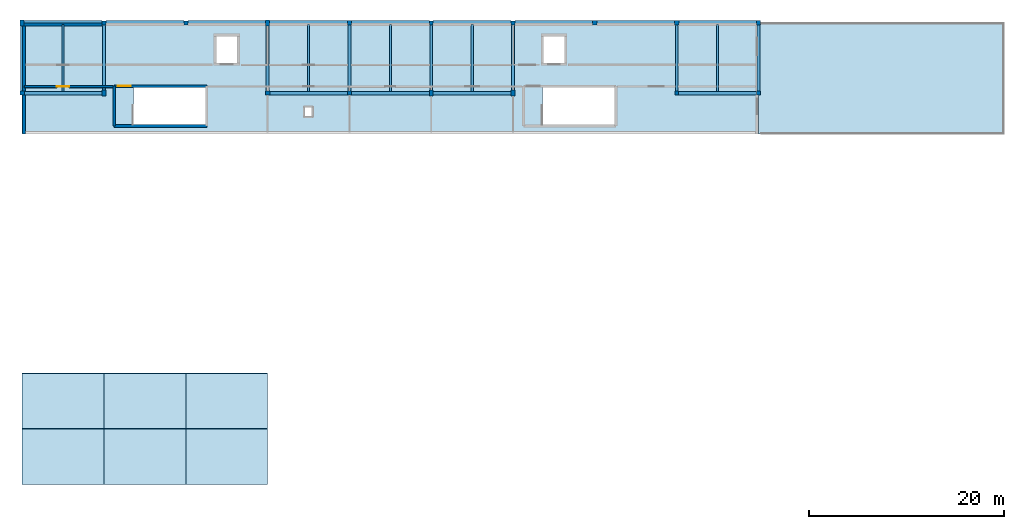
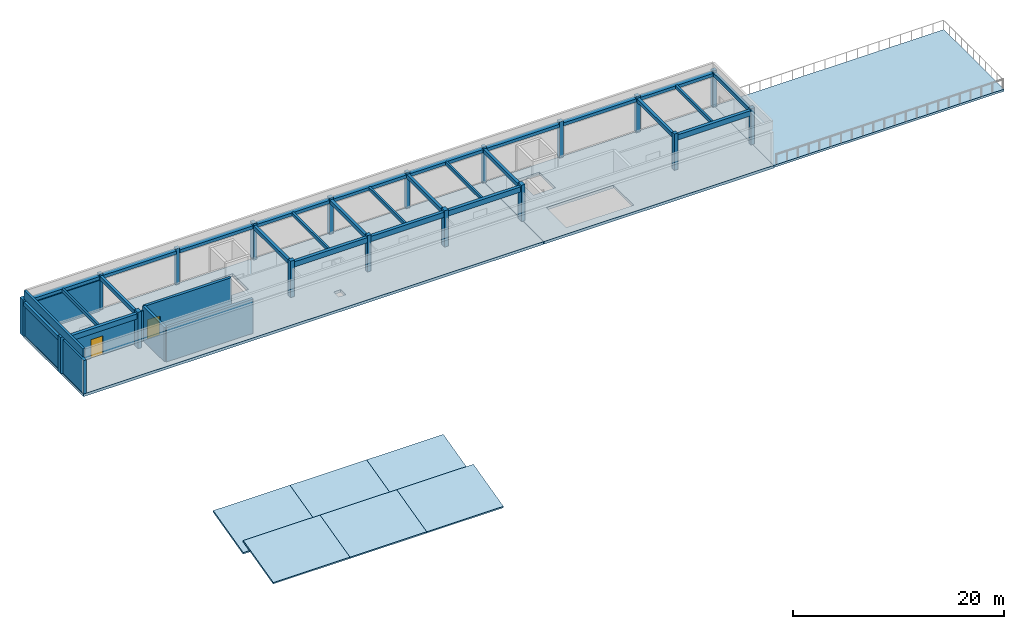
# One storey, part 1 of 6: 27 beams, 18 columns, 9 slabs, 8 walls, 2 doors, 2 openings.
"""IFC4 building model written with IfcOpenShell, lengths in metres."""

import ifcopenshell
import ifcopenshell.guid

model = None  # the IFC model being written
_history = None  # IfcOwnerHistory: only IFC2X3 demands one
_inside = {}  # id of a spatial element -> (the spatial element, [elements in it])
_under = {}  # id of a project, library or spatial element -> (it, [spatial elements below it])
_declared = {}  # id of a project -> (the project, [libraries it declares])
_typed = {}  # id of a type object -> (the type object, [elements of that type])
_made_of = {}  # id of a material, layer set ... -> (it, [elements and type objects made of it])


def new_model(schema):
    """Start an empty IFC model of exactly this schema.

    Asked for "IFC4X3", IfcOpenShell would pick the latest addendum, in which some entities
    have other attributes; the version numbers below select the first issue.
    IFC2X3 requires an IfcOwnerHistory on every rooted entity: one is made here for all.
    """
    global model, _history
    if schema == "IFC4X3":
        model = ifcopenshell.file(schema_version=(4, 3, 0, 0))
    else:
        model = ifcopenshell.file(schema=schema)
    _inside.clear()
    _under.clear()
    _declared.clear()
    _typed.clear()
    _made_of.clear()
    _history = None
    if model.schema == "IFC2X3":
        org = make("IfcOrganization", Name="unknown")
        user = make(
            "IfcPersonAndOrganization",
            ThePerson=make("IfcPerson", FamilyName="unknown"),
            TheOrganization=org,
        )
        app = make(
            "IfcApplication",
            ApplicationDeveloper=org,
            Version="unknown",
            ApplicationFullName="unknown",
            ApplicationIdentifier="unknown",
        )
        _history = make(
            "IfcOwnerHistory",
            OwningUser=user,
            OwningApplication=app,
            ChangeAction="ADDED",
            CreationDate=0,
        )
    return model


def make(cls, **values):
    """One entity of the class cls with the attributes given. An attribute that is None is left unset."""
    return model.create_entity(
        cls, **{name: value for name, value in values.items() if value is not None}
    )


def rooted(cls, **values):
    """An entity with a GlobalId (a new one), such as an element, a storey or a relation."""
    return make(cls, GlobalId=ifcopenshell.guid.new(), OwnerHistory=_history, **values)


def si_unit(unit_type, name, prefix=None):
    """IfcSIUnit, for example si_unit("LENGTHUNIT", "METRE", prefix="MILLI")."""
    return make("IfcSIUnit", UnitType=unit_type, Prefix=prefix, Name=name)


def assignment(units):
    """IfcUnitAssignment: the units of a project."""
    return None if units is None else make("IfcUnitAssignment", Units=units)


def point(xyz):
    """IfcCartesianPoint."""
    return None if xyz is None else make("IfcCartesianPoint", Coordinates=xyz)


def direction(xyz):
    """IfcDirection."""
    return None if xyz is None else make("IfcDirection", DirectionRatios=xyz)


def frame(location, z_axis=None, x_axis=None):
    """IfcAxis2Placement3D, a coordinate frame: its origin and axes. An axis left out is left unset."""
    return make(
        "IfcAxis2Placement3D",
        Location=point(location),
        Axis=direction(z_axis),
        RefDirection=direction(x_axis),
    )


def frame_2d(location, x_axis=None):
    """IfcAxis2Placement2D, a coordinate frame in the plane: its origin and x axis."""
    return make(
        "IfcAxis2Placement2D", Location=point(location), RefDirection=direction(x_axis)
    )


def origin():
    """The frame at (0, 0, 0) with its axes left unset."""
    return frame((0.0, 0.0, 0.0))


def origin_2d():
    """The frame at (0, 0) in the plane with its x axis left unset."""
    return frame_2d((0.0, 0.0))


def place(relative_to, where):
    """IfcLocalPlacement: puts the frame where relative to a parent placement (None: the world)."""
    return make(
        "IfcLocalPlacement", PlacementRelTo=relative_to, RelativePlacement=where
    )


def context(
    kind, dimensions, precision=None, world=None, true_north=None, identifier=None
):
    """IfcGeometricRepresentationContext, for example the 3D "Model" context."""
    return make(
        "IfcGeometricRepresentationContext",
        ContextIdentifier=identifier,
        ContextType=kind,
        CoordinateSpaceDimension=dimensions,
        Precision=precision,
        WorldCoordinateSystem=world,
        TrueNorth=true_north,
    )


def subcontext(parent, identifier, kind, view, scale=None):
    """IfcGeometricRepresentationSubContext, for example "Body" below "Model"."""
    return make(
        "IfcGeometricRepresentationSubContext",
        ContextIdentifier=identifier,
        ContextType=kind,
        ParentContext=parent,
        TargetScale=scale,
        TargetView=view,
    )


def project(units=None, contexts=None):
    """IfcProject with its units and contexts."""
    return rooted(
        "IfcProject",
        Name="project",
        RepresentationContexts=contexts,
        UnitsInContext=assignment(units),
    )


def spatial(cls, under=None, at=None, **own):
    """A site, building, storey or space (cls), placed at a placement, below another one or the project."""
    s = rooted(cls, ObjectPlacement=at, **own)
    if under is not None:
        _under.setdefault(under.id(), (under, []))[1].append(s)
    return s


def polyline(points):
    """IfcPolyline through the points."""
    return make("IfcPolyline", Points=[point(p) for p in points])


def profile(cls, at=None, kind="AREA", **sizes):
    """A parametric profile (cls). Its sizes go by their IFC names, for example OverallWidth=200.0."""
    return make(cls, ProfileType=kind, Position=at, **sizes)


def rectangle(**sizes):
    """IfcRectangleProfileDef."""
    return profile("IfcRectangleProfileDef", **sizes)


def outline(outer, holes=None, kind="AREA"):
    """IfcArbitraryClosedProfileDef: a profile drawn as a closed curve; with holes, ...WithVoids."""
    if holes is None:
        return make("IfcArbitraryClosedProfileDef", ProfileType=kind, OuterCurve=outer)
    return make(
        "IfcArbitraryProfileDefWithVoids",
        ProfileType=kind,
        OuterCurve=outer,
        InnerCurves=holes,
    )


def extrude(swept, where, along, depth):
    """IfcExtrudedAreaSolid: the profile swept, set in the frame where, extruded along a direction by depth."""
    return make(
        "IfcExtrudedAreaSolid",
        SweptArea=swept,
        Position=where,
        ExtrudedDirection=direction(along),
        Depth=depth,
    )


def shape(context_of_items, identifier, shape_type, items):
    """IfcShapeRepresentation: the items that make up one representation, for example the "Body"."""
    return make(
        "IfcShapeRepresentation",
        ContextOfItems=context_of_items,
        RepresentationIdentifier=identifier,
        RepresentationType=shape_type,
        Items=items,
    )


def material(Name=None, Category=None):
    """IfcMaterial."""
    return make("IfcMaterial", Name=Name, Category=Category)


def layer(
    of_material, thickness, ventilated=None, Name=None, Category=None, Priority=None
):
    """IfcMaterialLayer: one layer of a wall or slab, of a material (None: an air gap)."""
    return make(
        "IfcMaterialLayer",
        Material=of_material,
        LayerThickness=thickness,
        IsVentilated=ventilated,
        Name=Name,
        Category=Category,
        Priority=Priority,
    )


def layer_set(layers, Name=None):
    """IfcMaterialLayerSet."""
    return make("IfcMaterialLayerSet", MaterialLayers=layers, LayerSetName=Name)


def material_profile(
    of_material, cross_section, Name=None, Category=None, Priority=None
):
    """IfcMaterialProfile: a cross section and its material."""
    return make(
        "IfcMaterialProfile",
        Name=Name,
        Material=of_material,
        Profile=cross_section,
        Priority=Priority,
        Category=Category,
    )


def profile_set(profiles, Name=None, composite=None):
    """IfcMaterialProfileSet."""
    return make(
        "IfcMaterialProfileSet",
        Name=Name,
        MaterialProfiles=profiles,
        CompositeProfile=composite,
    )


def made_of(thing, what):
    """Note that an element or type object is made of a material, layer set ...; save() writes the relation."""
    if what is not None:
        _made_of.setdefault(what.id(), (what, []))[1].append(thing)
    return thing


def type_object(cls, material=None, **own):
    """A type object (cls), such as IfcWallType, which elements share."""
    return made_of(rooted(cls, **own), material)


def element(
    cls,
    number,
    at=None,
    inside=None,
    cuts=None,
    type_object=None,
    material=None,
    context=None,
    identifier="Body",
    shape_type=None,
    held_by="IfcProductDefinitionShape",
    body=None,
    shapes=None,
    **own,
):
    """One element of the class cls, such as IfcWall. Its Tag is "e" and its number.

    at: its placement. inside: the storey or other place that contains it. cuts: it is an
    opening in that element (IfcRelVoidsElement). A single representation is given by context,
    identifier, shape_type and body (its items); several are given by shapes. held_by: the class
    of the entity that holds the representations. save() writes the other relations.
    """
    e = rooted(cls, Tag="e%d" % number, ObjectPlacement=at, **own)
    if body is not None:
        shapes = [shape(context, identifier, shape_type, body)]
    if shapes is not None:
        e.Representation = make(held_by, Representations=shapes)
    if inside is not None:
        _inside.setdefault(inside.id(), (inside, []))[1].append(e)
    if cuts is not None:
        rooted(
            "IfcRelVoidsElement", RelatingBuildingElement=cuts, RelatedOpeningElement=e
        )
    if type_object is not None:
        _typed.setdefault(type_object.id(), (type_object, []))[1].append(e)
    return made_of(e, material)


def fill(opening, filler):
    """IfcRelFillsElement: the door or window that sits in an opening."""
    return rooted(
        "IfcRelFillsElement",
        RelatingOpeningElement=opening,
        RelatedBuildingElement=filler,
    )


def aggregate(whole, parts):
    """IfcRelAggregates: a whole, such as a stair, and the parts it consists of."""
    return rooted("IfcRelAggregates", RelatingObject=whole, RelatedObjects=parts)


def save(model, path):
    """Write the relations noted so far, then the file.

    IfcRelAggregates (storeys below a building ...), IfcRelContainedInSpatialStructure (elements
    in a storey), IfcRelDefinesByType, IfcRelAssociatesMaterial and IfcRelDeclares: one each for
    every whole, place, type object, material and project.
    """
    for whole, parts in _under.values():
        aggregate(whole, parts)
    for where, things in _inside.values():
        rooted(
            "IfcRelContainedInSpatialStructure",
            RelatedElements=things,
            RelatingStructure=where,
        )
    for kind, things in _typed.values():
        rooted("IfcRelDefinesByType", RelatedObjects=things, RelatingType=kind)
    for what, things in _made_of.values():
        rooted("IfcRelAssociatesMaterial", RelatedObjects=things, RelatingMaterial=what)
    for by, libraries in _declared.values():
        rooted("IfcRelDeclares", RelatingContext=by, RelatedDefinitions=libraries)
    model.write(path)


model = new_model("IFC4")

# Units and contexts
model_context = context("Model", 3, precision=1e-05, world=origin(), true_north=direction((0.0, 1.0)))
body_context = subcontext(model_context, "Body", "Model", "MODEL_VIEW")
ifc_project = project(units=[si_unit("LENGTHUNIT", "METRE"), si_unit("AREAUNIT", "SQUARE_METRE"), si_unit("VOLUMEUNIT", "CUBIC_METRE"), si_unit("PLANEANGLEUNIT", "RADIAN"), si_unit("MASSUNIT", "GRAM", prefix="KILO")], contexts=[model_context])

# Site, building, storey
site_placement = place(None, origin())
site = spatial("IfcSite", under=ifc_project, at=site_placement, CompositionType="ELEMENT")
building_placement = place(site_placement, origin())
building = spatial("IfcBuilding", under=site, at=building_placement, Name="Malvenik Polytechnic", CompositionType="ELEMENT")
storey_placement = place(building_placement, frame((0.0, 0.0, 26.10009765625)))
storey = spatial("IfcBuildingStorey", under=building, at=storey_placement, Name="L06", CompositionType="ELEMENT", Elevation=26.10009765625)

# Columns
ifc_material_1 = material(Name="Concrete C35/45", Category="concrete")
ifc_material_profile_1 = material_profile(ifc_material_1, rectangle(XDim=0.449951171875, YDim=0.449951171875, at=origin_2d()), Name="RC COL 450x450")
ifc_profile_set_1 = profile_set([ifc_material_profile_1], Name="Concrete C35/45")
column_type_1 = type_object("IfcColumnType", Name="STR-COL-C-09", PredefinedType="COLUMN", material=ifc_profile_set_1)
for number, where, z_axis, x_axis, name in (
    (1, (0.0, 122.39990234375, 0.0), (0.0, 0.0, 1.0), (1.0, 0.0, 0.0), "Column C-09 L06 (0.0,122.4)"),
    (2, (25.199951171875, 122.39990234375, 0.0), (0.0, 0.0, 1.0), (1.0, 0.0, 0.0), "Column C-09 L06 (25.2,122.4)"),
    (3, (33.60009765625, 129.60009765625, 0.0), (0.0, 0.0, 1.0), (1.0, 0.0, 0.0), "Column C-09 L06 (33.6,129.6)"),
    (4, (58.800048828125, 129.60009765625, 0.0), (0.0, 0.0, 1.0), (1.0, 0.0, 0.0), "Column C-09 L06 (58.8,129.6)"),
    (5, (67.199951171875, 129.60009765625, 0.0), (0.0, 0.0, 1.0), (1.0, 0.0, 0.0), "Column C-09 L06 (67.2,129.6)"),
    (6, (75.60009765625, 129.60009765625, 0.0), (0.0, 0.0, 1.0), (1.0, 0.0, 0.0), "Column C-09 L06 (75.6,129.6)"),
):
    element("IfcColumn", number, at=place(storey_placement, frame(where, z_axis=z_axis, x_axis=x_axis)), inside=storey, type_object=column_type_1, Name=name, PredefinedType="COLUMN", context=body_context, shape_type="SweptSolid", body=[
        extrude(rectangle(XDim=0.449951171875, YDim=0.449951171875, at=origin_2d()), origin(), (0.0, 0.0, 1.0), 4.199951171875),
    ])
ifc_material_2 = material(Name="Concrete C30/37", Category="concrete")
ifc_material_profile_2 = material_profile(ifc_material_2, rectangle(XDim=0.39990234375, YDim=0.39990234375, at=origin_2d()), Name="RC COL 400x400")
ifc_profile_set_2 = profile_set([ifc_material_profile_2], Name="Concrete C30/37")
column_type_2 = type_object("IfcColumnType", Name="STR-COL-C-10", PredefinedType="COLUMN", material=ifc_profile_set_2)
for number, where, z_axis, x_axis, name in (
    (7, (8.39990234375, 129.60009765625, 0.0), (0.0, 0.0, 1.0), (1.0, 0.0, 0.0), "Column C-10 L06 (8.4,129.6)"),
    (8, (16.800048828125, 129.60009765625, 0.0), (0.0, 0.0, 1.0), (1.0, 0.0, 0.0), "Column C-10 L06 (16.8,129.6)"),
    (9, (33.60009765625, 122.39990234375, 0.0), (0.0, 0.0, 1.0), (1.0, 0.0, 0.0), "Column C-10 L06 (33.6,122.4)"),
    (10, (42.0, 129.60009765625, 0.0), (0.0, 0.0, 1.0), (1.0, 0.0, 0.0), "Column C-10 L06 (42.0,129.6)"),
    (11, (50.39990234375, 129.60009765625, 0.0), (0.0, 0.0, 1.0), (1.0, 0.0, 0.0), "Column C-10 L06 (50.4,129.6)"),
    (12, (67.199951171875, 122.39990234375, 0.0), (0.0, 0.0, 1.0), (1.0, 0.0, 0.0), "Column C-10 L06 (67.2,122.4)"),
    (13, (75.60009765625, 122.39990234375, 0.0), (0.0, 0.0, 1.0), (1.0, 0.0, 0.0), "Column C-10 L06 (75.6,122.4)"),
):
    element("IfcColumn", number, at=place(storey_placement, frame(where, z_axis=z_axis, x_axis=x_axis)), inside=storey, type_object=column_type_2, Name=name, PredefinedType="COLUMN", context=body_context, shape_type="SweptSolid", body=[
        extrude(rectangle(XDim=0.39990234375, YDim=0.39990234375, at=origin_2d()), origin(), (0.0, 0.0, 1.0), 4.199951171875),
    ])
ifc_material_profile_3 = material_profile(ifc_material_1, rectangle(XDim=0.39990234375, YDim=0.60009765625, at=origin_2d()), Name="RC COL 600x400")
ifc_profile_set_3 = profile_set([ifc_material_profile_3], Name="Concrete C35/45")
column_type_3 = type_object("IfcColumnType", Name="STR-COL-C-15", PredefinedType="COLUMN", material=ifc_profile_set_3)
for number, where, z_axis, x_axis, name in (
    (14, (0.0, 129.60009765625, 0.0), (0.0, 0.0, 1.0), (1.0, 0.0, 0.0), "Column C-15 L06 (0.0,129.6)"),
    (15, (8.39990234375, 122.39990234375, 0.0), (0.0, 0.0, 1.0), (1.0, 0.0, 0.0), "Column C-15 L06 (8.4,122.4)"),
    (16, (25.199951171875, 129.60009765625, 0.0), (0.0, 0.0, 1.0), (1.0, 0.0, 0.0), "Column C-15 L06 (25.2,129.6)"),
    (17, (42.0, 122.39990234375, 0.0), (0.0, 0.0, 1.0), (1.0, 0.0, 0.0), "Column C-15 L06 (42.0,122.4)"),
    (18, (50.39990234375, 122.39990234375, 0.0), (0.0, 0.0, 1.0), (1.0, 0.0, 0.0), "Column C-15 L06 (50.4,122.4)"),
):
    element("IfcColumn", number, at=place(storey_placement, frame(where, z_axis=z_axis, x_axis=x_axis)), inside=storey, type_object=column_type_3, Name=name, PredefinedType="COLUMN", context=body_context, shape_type="SweptSolid", body=[
        extrude(rectangle(XDim=0.39990234375, YDim=0.60009765625, at=origin_2d()), origin(), (0.0, 0.0, 1.0), 4.199951171875),
    ])

# Beams
ifc_material_profile_4 = material_profile(ifc_material_1, rectangle(XDim=0.35009765625, YDim=0.60009765625, at=origin_2d()), Name="RC BM 350x600")
ifc_profile_set_4 = profile_set([ifc_material_profile_4], Name="Concrete C35/45")
beam_type_1 = type_object("IfcBeamType", Name="STR-BM-B-07", PredefinedType="BEAM", material=ifc_profile_set_4)
for number, where, z_axis, x_axis, name in (
    (19, (0.222900390625, 122.39990234375, 3.659912109375), (1.0, 0.0, 0.0), (0.0, 1.0, 0.0), "Primary Beam B-07 L06 #1982"),
    (20, (25.423095703125, 122.39990234375, 3.659912109375), (1.0, 0.0, 0.0), (0.0, 1.0, 0.0), "Primary Beam B-07 L06 #1983"),
):
    element("IfcBeam", number, at=place(storey_placement, frame(where, z_axis=z_axis, x_axis=x_axis)), inside=storey, type_object=beam_type_1, Name=name, PredefinedType="BEAM", context=body_context, shape_type="SweptSolid", body=[
        extrude(rectangle(XDim=0.35009765625, YDim=0.60009765625, at=origin_2d()), origin(), (0.0, 0.0, 1.0), 7.97900390625),
    ])
for number, where, z_axis, x_axis, name in (
    (21, (33.798095703125, 122.39990234375, 3.659912109375), (1.0, 0.0, 0.0), (0.0, 1.0, 0.0), "Primary Beam B-07 L06 #1984"),
    (22, (42.197998046875, 122.39990234375, 3.659912109375), (1.0, 0.0, 0.0), (0.0, 1.0, 0.0), "Primary Beam B-07 L06 #1985"),
):
    element("IfcBeam", number, at=place(storey_placement, frame(where, z_axis=z_axis, x_axis=x_axis)), inside=storey, type_object=beam_type_1, Name=name, PredefinedType="BEAM", context=body_context, shape_type="SweptSolid", body=[
        extrude(rectangle(XDim=0.35009765625, YDim=0.60009765625, at=origin_2d()), origin(), (0.0, 0.0, 1.0), 8.00390625),
    ])
beam_1_placement = place(storey_placement, frame((67.39794921875, 122.39990234375, 3.659912109375), z_axis=(1.0, 0.0, 0.0), x_axis=(0.0, 1.0, 0.0)))
element("IfcBeam", 23, at=beam_1_placement, inside=storey, type_object=beam_type_1, Name="Primary Beam B-07 L06 #1986", PredefinedType="BEAM", context=body_context, shape_type="SweptSolid", body=[
    extrude(rectangle(XDim=0.35009765625, YDim=0.60009765625, at=origin_2d()), origin(), (0.0, 0.0, 1.0), 8.004150390625),
])
ifc_material_profile_5 = material_profile(ifc_material_2, rectangle(XDim=0.300048828125, YDim=0.449951171875, at=origin_2d()), Name="RC BM 300x450")
ifc_profile_set_5 = profile_set([ifc_material_profile_5], Name="Concrete C30/37")
beam_type_2 = type_object("IfcBeamType", Name="STR-BM-B-10", PredefinedType="BEAM", material=ifc_profile_set_5)
beam_2_placement = place(storey_placement, frame((0.0, 122.623046875, 3.73486328125), z_axis=(0.0, 1.0, 0.0), x_axis=(-1.0, 0.0, 0.0)))
element("IfcBeam", 24, at=beam_2_placement, inside=storey, type_object=beam_type_2, Name="Transverse Beam B-10 L06 #1987", PredefinedType="BEAM", context=body_context, shape_type="SweptSolid", body=[
    extrude(rectangle(XDim=0.300048828125, YDim=0.449951171875, at=origin_2d()), origin(), (0.0, 0.0, 1.0), 6.678955078125),
])
beam_3_placement = place(storey_placement, frame((8.39990234375, 122.697998046875, 3.73486328125), z_axis=(0.0, 1.0, 0.0), x_axis=(-1.0, 0.0, 0.0)))
element("IfcBeam", 25, at=beam_3_placement, inside=storey, type_object=beam_type_2, Name="Transverse Beam B-10 L06 #1988", PredefinedType="BEAM", context=body_context, shape_type="SweptSolid", body=[
    extrude(rectangle(XDim=0.300048828125, YDim=0.449951171875, at=origin_2d()), origin(), (0.0, 0.0, 1.0), 6.7041015625),
])
beam_4_placement = place(storey_placement, frame((25.199951171875, 122.623046875, 3.73486328125), z_axis=(0.0, 1.0, 0.0), x_axis=(-1.0, 0.0, 0.0)))
element("IfcBeam", 26, at=beam_4_placement, inside=storey, type_object=beam_type_2, Name="Transverse Beam B-10 L06 #1989", PredefinedType="BEAM", context=body_context, shape_type="SweptSolid", body=[
    extrude(rectangle(XDim=0.300048828125, YDim=0.449951171875, at=origin_2d()), origin(), (0.0, 0.0, 1.0), 6.678955078125),
])
beam_5_placement = place(storey_placement, frame((33.60009765625, 122.597900390625, 3.73486328125), z_axis=(0.0, 1.0, 0.0), x_axis=(-1.0, 0.0, 0.0)))
element("IfcBeam", 27, at=beam_5_placement, inside=storey, type_object=beam_type_2, Name="Transverse Beam B-10 L06 #1990", PredefinedType="BEAM", context=body_context, shape_type="SweptSolid", body=[
    extrude(rectangle(XDim=0.300048828125, YDim=0.449951171875, at=origin_2d()), origin(), (0.0, 0.0, 1.0), 6.779052734375),
])
for number, where, z_axis, x_axis, name in (
    (28, (42.0, 122.697998046875, 3.73486328125), (0.0, 1.0, 0.0), (-1.0, 0.0, 0.0), "Transverse Beam B-10 L06 #1991"),
    (29, (50.39990234375, 122.697998046875, 3.73486328125), (0.0, 1.0, 0.0), (-1.0, 0.0, 0.0), "Transverse Beam B-10 L06 #1992"),
):
    element("IfcBeam", number, at=place(storey_placement, frame(where, z_axis=z_axis, x_axis=x_axis)), inside=storey, type_object=beam_type_2, Name=name, PredefinedType="BEAM", context=body_context, shape_type="SweptSolid", body=[
        extrude(rectangle(XDim=0.300048828125, YDim=0.449951171875, at=origin_2d()), origin(), (0.0, 0.0, 1.0), 6.7041015625),
    ])
for number, where, z_axis, x_axis, name in (
    (30, (67.199951171875, 122.597900390625, 3.73486328125), (0.0, 1.0, 0.0), (-1.0, 0.0, 0.0), "Transverse Beam B-10 L06 #1993"),
    (31, (75.60009765625, 122.597900390625, 3.73486328125), (0.0, 1.0, 0.0), (-1.0, 0.0, 0.0), "Transverse Beam B-10 L06 #1994"),
):
    element("IfcBeam", number, at=place(storey_placement, frame(where, z_axis=z_axis, x_axis=x_axis)), inside=storey, type_object=beam_type_2, Name=name, PredefinedType="BEAM", context=body_context, shape_type="SweptSolid", body=[
        extrude(rectangle(XDim=0.300048828125, YDim=0.449951171875, at=origin_2d()), origin(), (0.0, 0.0, 1.0), 6.779052734375),
    ])
ifc_material_profile_6 = material_profile(ifc_material_2, rectangle(XDim=0.219970703125, YDim=0.3798828125, at=origin_2d()), Name="RC JST 220x380")
ifc_profile_set_6 = profile_set([ifc_material_profile_6], Name="Concrete C30/37")
beam_type_3 = type_object("IfcBeamType", Name="STR-BM-J-04", PredefinedType="JOIST", material=ifc_profile_set_6)
for number, where, z_axis, x_axis, name in (
    (32, (4.199951171875, 122.572998046875, 3.77001953125), (0.0, 1.0, 0.0), (-1.0, 0.0, 0.0), "Secondary Rib Joist J-04 L06 #1995"),
    (33, (29.39990234375, 122.572998046875, 3.77001953125), (0.0, 1.0, 0.0), (-1.0, 0.0, 0.0), "Secondary Rib Joist J-04 L06 #1996"),
    (34, (37.800048828125, 122.572998046875, 3.77001953125), (0.0, 1.0, 0.0), (-1.0, 0.0, 0.0), "Secondary Rib Joist J-04 L06 #1997"),
    (35, (46.199951171875, 122.572998046875, 3.77001953125), (0.0, 1.0, 0.0), (-1.0, 0.0, 0.0), "Secondary Rib Joist J-04 L06 #1998"),
    (36, (71.39990234375, 122.572998046875, 3.77001953125), (0.0, 1.0, 0.0), (-1.0, 0.0, 0.0), "Secondary Rib Joist J-04 L06 #1999"),
):
    element("IfcBeam", number, at=place(storey_placement, frame(where, z_axis=z_axis, x_axis=x_axis)), inside=storey, type_object=beam_type_3, Name=name, PredefinedType="JOIST", context=body_context, shape_type="SweptSolid", body=[
        extrude(rectangle(XDim=0.219970703125, YDim=0.3798828125, at=origin_2d()), origin(), (0.0, 0.0, 1.0), 6.87890625),
    ])
ifc_material_3 = material(Name="Precast concrete C40/50", Category="concrete")
ifc_material_profile_7 = material_profile(ifc_material_3, rectangle(XDim=0.5, YDim=0.360107421875, at=origin_2d()), Name="PC CRN 500x360")
ifc_profile_set_7 = profile_set([ifc_material_profile_7], Name="Precast concrete C40/50")
beam_type_4 = type_object("IfcBeamType", Name="STR-BM-SP-04", PredefinedType="SPANDREL", material=ifc_profile_set_7)
beam_6_placement = place(storey_placement, frame((0.197998046875, 129.60009765625, 3.77978515625), z_axis=(1.0, 0.0, 0.0), x_axis=(0.0, 1.0, 0.0)))
element("IfcBeam", 37, at=beam_6_placement, inside=storey, type_object=beam_type_4, Name="Beam SP-04 #1", PredefinedType="SPANDREL", context=body_context, shape_type="SweptSolid", body=[
    extrude(rectangle(XDim=0.5, YDim=0.360107421875, at=origin_2d()), origin(), (0.0, 0.0, 1.0), 8.00390625),
])
beam_7_placement = place(storey_placement, frame((8.597900390625, 129.60009765625, 3.77978515625), z_axis=(1.0, 0.0, 0.0), x_axis=(0.0, 1.0, 0.0)))
element("IfcBeam", 38, at=beam_7_placement, inside=storey, type_object=beam_type_4, Name="Beam SP-04 #2", PredefinedType="SPANDREL", context=body_context, shape_type="SweptSolid", body=[
    extrude(rectangle(XDim=0.5, YDim=0.360107421875, at=origin_2d()), origin(), (0.0, 0.0, 1.0), 8.004150390625),
])
beam_8_placement = place(storey_placement, frame((16.998046875, 129.60009765625, 3.77978515625), z_axis=(1.0, 0.0, 0.0), x_axis=(0.0, 1.0, 0.0)))
element("IfcBeam", 39, at=beam_8_placement, inside=storey, type_object=beam_type_4, Name="Beam SP-04 #3", PredefinedType="SPANDREL", context=body_context, shape_type="SweptSolid", body=[
    extrude(rectangle(XDim=0.5, YDim=0.360107421875, at=origin_2d()), origin(), (0.0, 0.0, 1.0), 8.00390625),
])
for number, where, z_axis, x_axis, name in (
    (40, (25.39794921875, 129.60009765625, 3.77978515625), (1.0, 0.0, 0.0), (0.0, 1.0, 0.0), "Beam SP-04 #4"),
    (41, (33.822998046875, 129.60009765625, 3.77978515625), (1.0, 0.0, 0.0), (0.0, 1.0, 0.0), "Beam SP-04 #5"),
):
    element("IfcBeam", number, at=place(storey_placement, frame(where, z_axis=z_axis, x_axis=x_axis)), inside=storey, type_object=beam_type_4, Name=name, PredefinedType="SPANDREL", context=body_context, shape_type="SweptSolid", body=[
        extrude(rectangle(XDim=0.5, YDim=0.360107421875, at=origin_2d()), origin(), (0.0, 0.0, 1.0), 7.97900390625),
    ])
beam_9_placement = place(storey_placement, frame((42.197998046875, 129.60009765625, 3.77978515625), z_axis=(1.0, 0.0, 0.0), x_axis=(0.0, 1.0, 0.0)))
element("IfcBeam", 42, at=beam_9_placement, inside=storey, type_object=beam_type_4, Name="Beam SP-04 #6", PredefinedType="SPANDREL", context=body_context, shape_type="SweptSolid", body=[
    extrude(rectangle(XDim=0.5, YDim=0.360107421875, at=origin_2d()), origin(), (0.0, 0.0, 1.0), 8.00390625),
])
beam_10_placement = place(storey_placement, frame((50.597900390625, 129.60009765625, 3.77978515625), z_axis=(1.0, 0.0, 0.0), x_axis=(0.0, 1.0, 0.0)))
element("IfcBeam", 43, at=beam_10_placement, inside=storey, type_object=beam_type_4, Name="Beam SP-04 #7", PredefinedType="SPANDREL", context=body_context, shape_type="SweptSolid", body=[
    extrude(rectangle(XDim=0.5, YDim=0.360107421875, at=origin_2d()), origin(), (0.0, 0.0, 1.0), 7.97900390625),
])
beam_11_placement = place(storey_placement, frame((59.02294921875, 129.60009765625, 3.77978515625), z_axis=(1.0, 0.0, 0.0), x_axis=(0.0, 1.0, 0.0)))
element("IfcBeam", 44, at=beam_11_placement, inside=storey, type_object=beam_type_4, Name="Beam SP-04 #8", PredefinedType="SPANDREL", context=body_context, shape_type="SweptSolid", body=[
    extrude(rectangle(XDim=0.5, YDim=0.360107421875, at=origin_2d()), origin(), (0.0, 0.0, 1.0), 7.9541015625),
])
beam_12_placement = place(storey_placement, frame((67.423095703125, 129.60009765625, 3.77978515625), z_axis=(1.0, 0.0, 0.0), x_axis=(0.0, 1.0, 0.0)))
element("IfcBeam", 45, at=beam_12_placement, inside=storey, type_object=beam_type_4, Name="Beam SP-04 #9", PredefinedType="SPANDREL", context=body_context, shape_type="SweptSolid", body=[
    extrude(rectangle(XDim=0.5, YDim=0.360107421875, at=origin_2d()), origin(), (0.0, 0.0, 1.0), 7.953857421875),
])

# Slabs
ifc_material_4 = material(Name="Concrete C40/50", Category="concrete")
ifc_layer_1 = layer(ifc_material_4, 0.320068359375)
ifc_layer_set_1 = layer_set([ifc_layer_1], Name="Concrete C40/50")
slab_type_1 = type_object("IfcSlabType", Name="STR-SLB-LIB-320", PredefinedType="FLOOR", material=ifc_layer_set_1)
slab_1_placement = place(storey_placement, frame((0.0, 0.0, -0.320068359375)))
element("IfcSlab", 46, at=slab_1_placement, inside=storey, type_object=slab_type_1, Name="Structural Slab L06-V1 #104", PredefinedType="FLOOR", context=body_context, shape_type="SweptSolid", body=[
    extrude(outline(polyline([(0.0, 129.60009765625), (50.3798828125, 129.60009765625), (50.3798828125, 118.199951171875), (0.0, 118.199951171875), (0.0, 129.60009765625)]), holes=[polyline([(29.75, 120.0), (29.75, 120.949951171875), (29.0, 120.949951171875), (29.0, 120.0), (29.75, 120.0)]), polyline([(11.41796875, 119.14990234375), (18.800048828125, 119.14990234375), (18.800048828125, 122.949951171875), (11.41796875, 122.949951171875), (11.41796875, 119.14990234375)]), polyline([(19.800048828125, 125.35009765625), (22.199951171875, 125.35009765625), (22.199951171875, 128.35009765625), (19.800048828125, 128.35009765625), (19.800048828125, 125.35009765625)])]), origin(), (0.0, 0.0, 1.0), 0.320068359375),
])
slab_2_placement = place(storey_placement, frame((0.0, 0.0, -0.320068359375)))
element("IfcSlab", 47, at=slab_2_placement, inside=storey, type_object=slab_type_1, Name="Structural Slab L06-V1 #105", PredefinedType="FLOOR", context=body_context, shape_type="SweptSolid", body=[
    extrude(outline(polyline([(75.60009765625, 129.60009765625), (75.60009765625, 118.199951171875), (50.419921875, 118.199951171875), (50.419921875, 129.60009765625), (75.60009765625, 129.60009765625)]), holes=[polyline([(53.41796875, 119.14990234375), (60.800048828125, 119.14990234375), (60.800048828125, 122.949951171875), (53.41796875, 122.949951171875), (53.41796875, 119.14990234375)]), polyline([(53.39990234375, 125.35009765625), (55.800048828125, 125.35009765625), (55.800048828125, 128.35009765625), (53.39990234375, 128.35009765625), (53.39990234375, 125.35009765625)])]), origin(), (0.0, 0.0, 1.0), 0.320068359375),
])
ifc_layer_2 = layer(ifc_material_1, 0.2099609375)
ifc_layer_set_2 = layer_set([ifc_layer_2], Name="Concrete C35/45")
slab_type_2 = type_object("IfcSlabType", Name="STR-SLB-SLOP-210", PredefinedType="ROOF", material=ifc_layer_set_2)
slab_3_placement = place(storey_placement, frame((0.0, 82.199951171875, 0.0), z_axis=(0.0, -0.241919513427, 0.970296320215), x_axis=(1.0, 0.0, 0.0)))
element("IfcSlab", 48, at=slab_3_placement, inside=storey, type_object=slab_type_2, Name="North-Light Studio Sloped Roof Slab 1.1", PredefinedType="ROOF", context=body_context, shape_type="SweptSolid", body=[
    extrude(outline(polyline([(0.0, 0.0), (8.39990234375, 0.0), (8.39990234375, 5.874443768487273), (0.0, 5.874443768487273), (0.0, 0.0)])), origin(), (0.0, 0.0, -1.0), 0.2099609375),
])
slab_4_placement = place(storey_placement, frame((0.0, 87.89990234375, 0.0), z_axis=(0.0, -0.241909758329, 0.970298752357), x_axis=(1.0, 0.0, 0.0)))
element("IfcSlab", 49, at=slab_4_placement, inside=storey, type_object=slab_type_2, Name="North-Light Studio Sloped Roof Slab 1.2", PredefinedType="ROOF", context=body_context, shape_type="SweptSolid", body=[
    extrude(outline(polyline([(0.0, 0.0), (8.39990234375, 0.0), (8.39990234375, 5.874680657534225), (0.0, 5.874680657534225), (0.0, 0.0)])), origin(), (0.0, 0.0, -1.0), 0.2099609375),
])
slab_5_placement = place(storey_placement, frame((8.39990234375, 82.199951171875, 0.0), z_axis=(0.0, -0.241919513427, 0.970296320215), x_axis=(1.0, 0.0, 0.0)))
element("IfcSlab", 50, at=slab_5_placement, inside=storey, type_object=slab_type_2, Name="North-Light Studio Sloped Roof Slab 2.1", PredefinedType="ROOF", context=body_context, shape_type="SweptSolid", body=[
    extrude(outline(polyline([(0.0, 0.0), (8.400146484375, 0.0), (8.400146484375, 5.874443768487274), (0.0, 5.874443768487274), (0.0, 0.0)])), origin(), (0.0, 0.0, -1.0), 0.2099609375),
])
slab_6_placement = place(storey_placement, frame((8.39990234375, 87.89990234375, 0.0), z_axis=(0.0, -0.241909758329, 0.970298752357), x_axis=(1.0, 0.0, 0.0)))
element("IfcSlab", 51, at=slab_6_placement, inside=storey, type_object=slab_type_2, Name="North-Light Studio Sloped Roof Slab 2.2", PredefinedType="ROOF", context=body_context, shape_type="SweptSolid", body=[
    extrude(outline(polyline([(0.0, 0.0), (8.400146484375, 0.0), (8.400146484375, 5.874680657534224), (0.0, 5.874680657534224), (0.0, 0.0)])), origin(), (0.0, 0.0, -1.0), 0.2099609375),
])
slab_7_placement = place(storey_placement, frame((16.800048828125, 82.199951171875, 0.0), z_axis=(0.0, -0.241919513427, 0.970296320215), x_axis=(1.0, 0.0, 0.0)))
element("IfcSlab", 52, at=slab_7_placement, inside=storey, type_object=slab_type_2, Name="North-Light Studio Sloped Roof Slab 3.1", PredefinedType="ROOF", context=body_context, shape_type="SweptSolid", body=[
    extrude(outline(polyline([(0.0, 0.0), (8.39990234375, 0.0), (8.39990234375, 5.874443768487273), (0.0, 5.874443768487273), (0.0, 0.0)])), origin(), (0.0, 0.0, -1.0), 0.2099609375),
])
slab_8_placement = place(storey_placement, frame((16.800048828125, 87.89990234375, 0.0), z_axis=(0.0, -0.241909758329, 0.970298752357), x_axis=(1.0, 0.0, 0.0)))
element("IfcSlab", 53, at=slab_8_placement, inside=storey, type_object=slab_type_2, Name="North-Light Studio Sloped Roof Slab 3.2", PredefinedType="ROOF", context=body_context, shape_type="SweptSolid", body=[
    extrude(outline(polyline([(0.0, 0.0), (8.39990234375, 0.0), (8.39990234375, 5.874680657534225), (0.0, 5.874680657534225), (0.0, 0.0)])), origin(), (0.0, 0.0, -1.0), 0.2099609375),
])
ifc_layer_3 = layer(ifc_material_1, 0.25)
ifc_layer_set_3 = layer_set([ifc_layer_3], Name="Concrete C35/45")
slab_type_3 = type_object("IfcSlabType", Name="STR-SLB-TER-250", PredefinedType="FLOOR", material=ifc_layer_set_3)
slab_9_placement = place(storey_placement, frame((0.0, 0.0, -0.25)))
element("IfcSlab", 54, at=slab_9_placement, inside=storey, type_object=slab_type_3, Name="Exterior Terrace Slab L06 #106", PredefinedType="FLOOR", context=body_context, shape_type="SweptSolid", body=[
    extrude(outline(polyline([(75.60009765625, 129.60009765625), (75.6005859375, 129.60009765625), (100.799560546875, 129.60009765625), (100.800048828125, 129.60009765625), (100.800048828125, 129.599609375), (100.800048828125, 118.200439453125), (100.800048828125, 118.199951171875), (100.799560546875, 118.199951171875), (75.6005859375, 118.199951171875), (75.60009765625, 118.199951171875), (75.60009765625, 118.200439453125), (75.60009765625, 129.599609375), (75.60009765625, 129.60009765625)])), origin(), (0.0, 0.0, 1.0), 0.25),
])

# Wall
ifc_layer_4 = layer(ifc_material_1, 0.300048828125)
ifc_layer_set_4 = layer_set([ifc_layer_4], Name="Concrete C35/45")
wall_type_1 = type_object("IfcWallType", Name="ARC-CW-S300", PredefinedType="SHEAR", material=ifc_layer_set_4)
wall_1_placement = place(storey_placement, frame((9.449951171875, 119.0, 0.0), z_axis=(0.0, 0.0, 1.0), x_axis=(0.0, 1.0, 0.0)))
element("IfcWall", 55, at=wall_1_placement, inside=storey, type_object=wall_type_1, Name="Stair Core Shear Wall ST-01 L06 NEAR", PredefinedType="SHEAR", context=body_context, shape_type="SweptSolid", body=[
    extrude(rectangle(XDim=4.10009765625, YDim=0.300048828125, at=frame_2d((2.050048828125, 0.0))), origin(), (0.0, 0.0, 1.0), 3.9599609375),
])

# Wall, opening, door
wall_2_placement = place(storey_placement, frame((9.449951171875, 123.10009765625, 0.0), z_axis=(0.0, 0.0, 1.0), x_axis=(1.0, 0.0, 0.0)))
wall_2 = element("IfcWall", 56, at=wall_2_placement, inside=storey, type_object=wall_type_1, Name="Stair Core Shear Wall ST-01 L06 RGHT", PredefinedType="SHEAR", context=body_context, shape_type="SweptSolid", body=[
    extrude(rectangle(XDim=9.5, YDim=0.300048828125, at=frame_2d((4.75, 0.0))), origin(), (0.0, 0.0, 1.0), 3.9599609375),
])
opening_1_placement = place(wall_2_placement, frame((0.35009765625, 0.0, 0.0)))
opening_1 = element("IfcOpeningElement", 57, at=opening_1_placement, cuts=wall_2, Name="Opening SD-01", PredefinedType="OPENING", context=body_context, shape_type="SweptSolid", body=[
    extrude(rectangle(XDim=1.35009765625, YDim=2.199951171875, at=frame_2d((0.675048828125, 1.10009765625))), frame((0.0, 0.16015625, 0.0), z_axis=(0.0, -1.0, 0.0), x_axis=(1.0, 0.0, 0.0)), (0.0, 0.0, 1.0), 0.320068359375),
])
ifc_material_5 = material(Name="Fire-rated steel stair enclosure door", Category="steel")
door_type_1 = type_object("IfcDoorType", Name="ARC-IDR-SD-01", OperationType="NOTDEFINED", PredefinedType="DOOR", material=ifc_material_5)
door_1_placement = place(opening_1_placement, origin())
door_1 = element("IfcDoor", 58, at=door_1_placement, inside=storey, type_object=door_type_1, Name="Fire Stair Door ST-01 L06", OperationType="SINGLE_SWING_LEFT", OverallHeight=2.199951171875, OverallWidth=1.35009765625, PredefinedType="DOOR", context=body_context, shape_type="SweptSolid", body=[
    extrude(rectangle(XDim=1.35009765625, YDim=2.199951171875, at=frame_2d((0.675048828125, 1.10009765625))), frame((0.0, 0.02490234375, 0.0), z_axis=(0.0, -1.0, 0.0), x_axis=(1.0, 0.0, 0.0)), (0.0, 0.0, 1.0), 0.050048828125),
])
fill(opening_1, door_1)

# Walls
wall_3_placement = place(storey_placement, frame((18.949951171875, 119.0, 0.0), z_axis=(0.0, 0.0, 1.0), x_axis=(-1.0, 0.0, 0.0)))
element("IfcWall", 59, at=wall_3_placement, inside=storey, type_object=wall_type_1, Name="Stair Core Shear Wall ST-01 L06 LEFT", PredefinedType="SHEAR", context=body_context, shape_type="SweptSolid", body=[
    extrude(rectangle(XDim=9.5, YDim=0.300048828125, at=frame_2d((4.75, 0.0))), origin(), (0.0, 0.0, 1.0), 3.9599609375),
])
ifc_material_6 = material(Name="Brick masonry M15", Category="masonry")
ifc_layer_5 = layer(ifc_material_6, 0.2900390625)
ifc_layer_set_5 = layer_set([ifc_layer_5], Name="Brick masonry M15")
wall_type_2 = type_object("IfcWallType", Name="ARC-EW-290", PredefinedType="SOLIDWALL", material=ifc_layer_set_5)
wall_4_placement = place(storey_placement, frame((0.169921875, 118.199951171875, 0.0), z_axis=(0.0, 0.0, 1.0), x_axis=(0.0, 1.0, 0.0)))
element("IfcWall", 60, at=wall_4_placement, inside=storey, type_object=wall_type_2, Name="External Facade Wall EW-04 L06 #492", PredefinedType="SOLIDWALL", context=body_context, shape_type="SweptSolid", body=[
    extrude(rectangle(XDim=3.97705078125, YDim=0.2900390625, at=frame_2d((1.988525390625, 0.0))), origin(), (0.0, 0.0, 1.0), 3.85986328125),
])
wall_5_placement = place(storey_placement, frame((0.169921875, 122.623046875, 0.0), z_axis=(0.0, 0.0, 1.0), x_axis=(0.0, 1.0, 0.0)))
element("IfcWall", 61, at=wall_5_placement, inside=storey, type_object=wall_type_2, Name="External Facade Wall EW-04 L06 #493", PredefinedType="SOLIDWALL", context=body_context, shape_type="SweptSolid", body=[
    extrude(rectangle(XDim=6.678955078125, YDim=0.2900390625, at=frame_2d((3.33935546875, 0.0))), origin(), (0.0, 0.0, 1.0), 3.5),
])
wall_6_placement = place(storey_placement, frame((0.197998046875, 129.429931640625, 0.0), z_axis=(0.0, 0.0, 1.0), x_axis=(1.0, 0.0, 0.0)))
element("IfcWall", 62, at=wall_6_placement, inside=storey, type_object=wall_type_2, Name="External Facade Wall EW-04 L06 #494", PredefinedType="SOLIDWALL", context=body_context, shape_type="SweptSolid", body=[
    extrude(rectangle(XDim=8.00390625, YDim=0.2900390625, at=frame_2d((4.001953125, 0.0))), origin(), (0.0, 0.0, 1.0), 3.56982421875),
])

# Wall, opening, door
ifc_material_7 = material(Name="Calcium silicate fire-rated blockwork 200mm", Category="masonry")
ifc_layer_6 = layer(ifc_material_7, 0.199951171875)
ifc_layer_set_6 = layer_set([ifc_layer_6], Name="Calcium silicate fire-rated blockwork 200mm")
wall_type_3 = type_object("IfcWallType", Name="ARC-FW-200", PredefinedType="SOLIDWALL", material=ifc_layer_set_6)
wall_7_placement = place(storey_placement, frame((9.31005859375, 123.050048828125, 0.0), z_axis=(0.0, 0.0, 1.0), x_axis=(-1.0, 0.0, 0.0)))
wall_7 = element("IfcWall", 63, at=wall_7_placement, inside=storey, type_object=wall_type_3, Name="Interior Partition FW-02 L06 #426", PredefinedType="SOLIDWALL", context=body_context, shape_type="SweptSolid", body=[
    extrude(rectangle(XDim=9.090087890625, YDim=0.199951171875, at=frame_2d((4.544921875, 0.0))), origin(), (0.0, 0.0, 1.0), 3.494873046875),
])
opening_2_placement = place(wall_7_placement, frame((4.4599609375, 0.0, 0.0)))
opening_2 = element("IfcOpeningElement", 64, at=opening_2_placement, cuts=wall_7, Name="Opening FD-04", PredefinedType="OPENING", context=body_context, shape_type="SweptSolid", body=[
    extrude(rectangle(XDim=1.300048828125, YDim=2.14990234375, at=frame_2d((0.64990234375, 1.074951171875))), frame((0.0, 0.10986328125, 0.0), z_axis=(0.0, -1.0, 0.0), x_axis=(1.0, 0.0, 0.0)), (0.0, 0.0, 1.0), 0.219970703125),
])
ifc_material_8 = material(Name="Fire-rated plant room steel door", Category="steel")
door_type_2 = type_object("IfcDoorType", Name="ARC-IDR-FD-04", OperationType="NOTDEFINED", PredefinedType="DOOR", material=ifc_material_8)
door_2_placement = place(opening_2_placement, origin())
door_2 = element("IfcDoor", 65, at=door_2_placement, inside=storey, type_object=door_type_2, Name="Interior Door FD-04 L06 #178", OperationType="SINGLE_SWING_RIGHT", OverallHeight=2.14990234375, OverallWidth=1.300048828125, PredefinedType="DOOR", context=body_context, shape_type="SweptSolid", body=[
    extrude(rectangle(XDim=1.300048828125, YDim=2.14990234375, at=frame_2d((0.64990234375, 1.074951171875))), frame((0.0, 0.02490234375, 0.0), z_axis=(0.0, -1.0, 0.0), x_axis=(1.0, 0.0, 0.0)), (0.0, 0.0, 1.0), 0.050048828125),
])
fill(opening_2, door_2)

# Wall
ifc_layer_7 = layer(ifc_material_3, 0.239990234375)
ifc_layer_set_7 = layer_set([ifc_layer_7], Name="Precast concrete C40/50")
wall_type_4 = type_object("IfcWallType", Name="ARC-PW-240", PredefinedType="PARAPET", material=ifc_layer_set_7)
wall_8_placement = place(storey_placement, frame((0.1201171875, 118.320068359375, 4.199951171875), z_axis=(0.0, 0.0, 1.0), x_axis=(0.0, 1.0, 0.0)))
element("IfcWall", 66, at=wall_8_placement, inside=storey, type_object=wall_type_4, Name="Roof Parapet Wall PW-01 #4", PredefinedType="PARAPET", context=body_context, shape_type="SweptSolid", body=[
    extrude(rectangle(XDim=11.159912109375, YDim=0.239990234375, at=frame_2d((5.580078125, 0.0))), origin(), (0.0, 0.0, 1.0), 0.949951171875),
])

save(model, "model.ifc")
